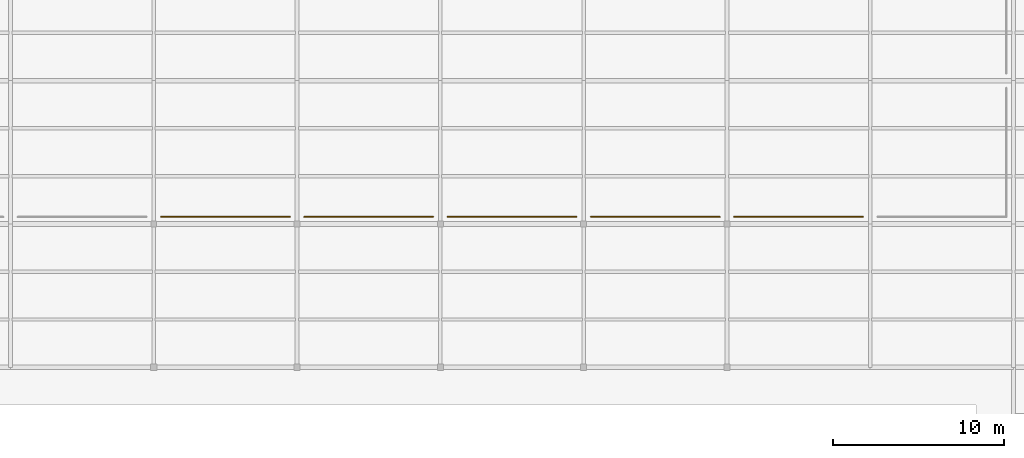
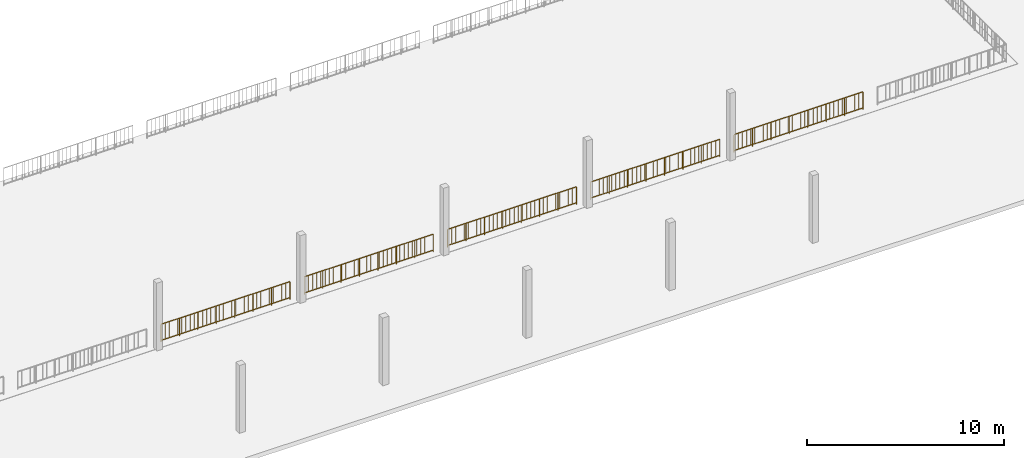
# One storey, part 125 of 166: 5 railings.
"""IFC4 building model written with IfcOpenShell, lengths in metres."""

from ifc_helpers import new_model, si_unit, direction, frame, origin, origin_2d, place, context, subcontext, project, spatial, circle, extrude, material, type_object, element, save


model = new_model("IFC4")

# Units and contexts
model_context = context("Model", 3, precision=1e-05, world=origin(), true_north=direction((0.0, 1.0)))
body_context = subcontext(model_context, "Body", "Model", "MODEL_VIEW")
ifc_project = project(units=[si_unit("LENGTHUNIT", "METRE"), si_unit("AREAUNIT", "SQUARE_METRE"), si_unit("VOLUMEUNIT", "CUBIC_METRE"), si_unit("PLANEANGLEUNIT", "RADIAN"), si_unit("MASSUNIT", "GRAM", prefix="KILO")], contexts=[model_context])

# Site, building, storey
site_placement = place(None, origin())
site = spatial("IfcSite", under=ifc_project, at=site_placement, CompositionType="ELEMENT")
building_placement = place(site_placement, origin())
building = spatial("IfcBuilding", under=site, at=building_placement, Name="Varnapada Polytechnic", CompositionType="ELEMENT")
storey_placement = place(building_placement, frame((0.0, 0.0, 9.60009765625)))
storey = spatial("IfcBuildingStorey", under=building, at=storey_placement, Name="L02", CompositionType="ELEMENT", Elevation=9.60009765625)

# Railings
ifc_material = material(Name="Painted galvanized steel", Category="steel")
railing_type = type_object("IfcRailingType", Name="Terrace Guard Rail GRD-01", PredefinedType="BALUSTRADE", material=ifc_material)
railing_1_placement = place(storey_placement, frame((76.02001953125, 25.6201171875, 0.0)))
element("IfcRailing", 1, at=railing_1_placement, inside=storey, type_object=railing_type, Name="L02 terrace perimeter guard rail 5", PredefinedType="BALUSTRADE", context=body_context, shape_type="SweptSolid", body=[
    extrude(circle(Radius=0.02392578125, at=origin_2d()), frame((0.0, 0.0, 1.09619140625), z_axis=(1.0, 0.0, 0.0), x_axis=(0.0, 1.0, 0.0)), (0.0, 0.0, 1.0), 7.56005859375),
    extrude(circle(Radius=0.02392578125, at=origin_2d()), frame((0.0, 0.0, 0.10009765625), z_axis=(1.0, 0.0, 0.0), x_axis=(0.0, 1.0, 0.0)), (0.0, 0.0, 1.0), 7.56005859375),
    extrude(circle(Radius=0.02099609375, at=origin_2d()), origin(), (0.0, 0.0, 1.0), 1.072021484375),
    extrude(circle(Radius=0.02099609375, at=origin_2d()), frame((1.080078125, 0.0, 0.0)), (0.0, 0.0, 1.0), 1.072021484375),
    extrude(circle(Radius=0.02099609375, at=origin_2d()), frame((2.159912109375, 0.0, 0.0)), (0.0, 0.0, 1.0), 1.072021484375),
    extrude(circle(Radius=0.02099609375, at=origin_2d()), frame((3.239990234375, 0.0, 0.0)), (0.0, 0.0, 1.0), 1.072021484375),
    extrude(circle(Radius=0.02099609375, at=origin_2d()), frame((4.320068359375, 0.0, 0.0)), (0.0, 0.0, 1.0), 1.072021484375),
    extrude(circle(Radius=0.02099609375, at=origin_2d()), frame((5.400146484375, 0.0, 0.0)), (0.0, 0.0, 1.0), 1.072021484375),
    extrude(circle(Radius=0.02099609375, at=origin_2d()), frame((6.47998046875, 0.0, 0.0)), (0.0, 0.0, 1.0), 1.072021484375),
    extrude(circle(Radius=0.02099609375, at=origin_2d()), frame((7.56005859375, 0.0, 0.0)), (0.0, 0.0, 1.0), 1.072021484375),
    extrude(circle(Radius=0.010009765625, at=origin_2d()), frame((0.243896484375, 0.0, 0.10009765625)), (0.0, 0.0, 1.0), 0.971923828125),
    extrude(circle(Radius=0.010009765625, at=origin_2d()), frame((0.48779296875, 0.0, 0.10009765625)), (0.0, 0.0, 1.0), 0.971923828125),
    extrude(circle(Radius=0.010009765625, at=origin_2d()), frame((0.731689453125, 0.0, 0.10009765625)), (0.0, 0.0, 1.0), 0.971923828125),
    extrude(circle(Radius=0.010009765625, at=origin_2d()), frame((0.9755859375, 0.0, 0.10009765625)), (0.0, 0.0, 1.0), 0.971923828125),
    extrude(circle(Radius=0.010009765625, at=origin_2d()), frame((1.219482421875, 0.0, 0.10009765625)), (0.0, 0.0, 1.0), 0.971923828125),
    extrude(circle(Radius=0.010009765625, at=origin_2d()), frame((1.463134765625, 0.0, 0.10009765625)), (0.0, 0.0, 1.0), 0.971923828125),
    extrude(circle(Radius=0.010009765625, at=origin_2d()), frame((1.70703125, 0.0, 0.10009765625)), (0.0, 0.0, 1.0), 0.971923828125),
    extrude(circle(Radius=0.010009765625, at=origin_2d()), frame((1.950927734375, 0.0, 0.10009765625)), (0.0, 0.0, 1.0), 0.971923828125),
    extrude(circle(Radius=0.010009765625, at=origin_2d()), frame((2.19482421875, 0.0, 0.10009765625)), (0.0, 0.0, 1.0), 0.971923828125),
    extrude(circle(Radius=0.010009765625, at=origin_2d()), frame((2.438720703125, 0.0, 0.10009765625)), (0.0, 0.0, 1.0), 0.971923828125),
    extrude(circle(Radius=0.010009765625, at=origin_2d()), frame((2.6826171875, 0.0, 0.10009765625)), (0.0, 0.0, 1.0), 0.971923828125),
    extrude(circle(Radius=0.010009765625, at=origin_2d()), frame((2.926513671875, 0.0, 0.10009765625)), (0.0, 0.0, 1.0), 0.971923828125),
    extrude(circle(Radius=0.010009765625, at=origin_2d()), frame((3.17041015625, 0.0, 0.10009765625)), (0.0, 0.0, 1.0), 0.971923828125),
    extrude(circle(Radius=0.010009765625, at=origin_2d()), frame((3.414306640625, 0.0, 0.10009765625)), (0.0, 0.0, 1.0), 0.971923828125),
    extrude(circle(Radius=0.010009765625, at=origin_2d()), frame((3.658203125, 0.0, 0.10009765625)), (0.0, 0.0, 1.0), 0.971923828125),
    extrude(circle(Radius=0.010009765625, at=origin_2d()), frame((3.90185546875, 0.0, 0.10009765625)), (0.0, 0.0, 1.0), 0.971923828125),
    extrude(circle(Radius=0.010009765625, at=origin_2d()), frame((4.145751953125, 0.0, 0.10009765625)), (0.0, 0.0, 1.0), 0.971923828125),
    extrude(circle(Radius=0.010009765625, at=origin_2d()), frame((4.3896484375, 0.0, 0.10009765625)), (0.0, 0.0, 1.0), 0.971923828125),
    extrude(circle(Radius=0.010009765625, at=origin_2d()), frame((4.633544921875, 0.0, 0.10009765625)), (0.0, 0.0, 1.0), 0.971923828125),
    extrude(circle(Radius=0.010009765625, at=origin_2d()), frame((4.87744140625, 0.0, 0.10009765625)), (0.0, 0.0, 1.0), 0.971923828125),
    extrude(circle(Radius=0.010009765625, at=origin_2d()), frame((5.121337890625, 0.0, 0.10009765625)), (0.0, 0.0, 1.0), 0.971923828125),
    extrude(circle(Radius=0.010009765625, at=origin_2d()), frame((5.365234375, 0.0, 0.10009765625)), (0.0, 0.0, 1.0), 0.971923828125),
    extrude(circle(Radius=0.010009765625, at=origin_2d()), frame((5.609130859375, 0.0, 0.10009765625)), (0.0, 0.0, 1.0), 0.971923828125),
    extrude(circle(Radius=0.010009765625, at=origin_2d()), frame((5.85302734375, 0.0, 0.10009765625)), (0.0, 0.0, 1.0), 0.971923828125),
    extrude(circle(Radius=0.010009765625, at=origin_2d()), frame((6.096923828125, 0.0, 0.10009765625)), (0.0, 0.0, 1.0), 0.971923828125),
    extrude(circle(Radius=0.010009765625, at=origin_2d()), frame((6.340576171875, 0.0, 0.10009765625)), (0.0, 0.0, 1.0), 0.971923828125),
    extrude(circle(Radius=0.010009765625, at=origin_2d()), frame((6.58447265625, 0.0, 0.10009765625)), (0.0, 0.0, 1.0), 0.971923828125),
    extrude(circle(Radius=0.010009765625, at=origin_2d()), frame((6.828369140625, 0.0, 0.10009765625)), (0.0, 0.0, 1.0), 0.971923828125),
    extrude(circle(Radius=0.010009765625, at=origin_2d()), frame((7.072265625, 0.0, 0.10009765625)), (0.0, 0.0, 1.0), 0.971923828125),
    extrude(circle(Radius=0.010009765625, at=origin_2d()), frame((7.316162109375, 0.0, 0.10009765625)), (0.0, 0.0, 1.0), 0.971923828125),
])
railing_2_placement = place(storey_placement, frame((84.419921875, 25.6201171875, 0.0)))
element("IfcRailing", 2, at=railing_2_placement, inside=storey, type_object=railing_type, Name="L02 terrace perimeter guard rail 7", PredefinedType="BALUSTRADE", context=body_context, shape_type="SweptSolid", body=[
    extrude(circle(Radius=0.02392578125, at=origin_2d()), frame((0.0, 0.0, 1.09619140625), z_axis=(1.0, 0.0, 0.0), x_axis=(0.0, 1.0, 0.0)), (0.0, 0.0, 1.0), 7.56005859375),
    extrude(circle(Radius=0.02392578125, at=origin_2d()), frame((0.0, 0.0, 0.10009765625), z_axis=(1.0, 0.0, 0.0), x_axis=(0.0, 1.0, 0.0)), (0.0, 0.0, 1.0), 7.56005859375),
    extrude(circle(Radius=0.02099609375, at=origin_2d()), origin(), (0.0, 0.0, 1.0), 1.072021484375),
    extrude(circle(Radius=0.02099609375, at=origin_2d()), frame((1.080078125, 0.0, 0.0)), (0.0, 0.0, 1.0), 1.072021484375),
    extrude(circle(Radius=0.02099609375, at=origin_2d()), frame((2.159912109375, 0.0, 0.0)), (0.0, 0.0, 1.0), 1.072021484375),
    extrude(circle(Radius=0.02099609375, at=origin_2d()), frame((3.239990234375, 0.0, 0.0)), (0.0, 0.0, 1.0), 1.072021484375),
    extrude(circle(Radius=0.02099609375, at=origin_2d()), frame((4.320068359375, 0.0, 0.0)), (0.0, 0.0, 1.0), 1.072021484375),
    extrude(circle(Radius=0.02099609375, at=origin_2d()), frame((5.400146484375, 0.0, 0.0)), (0.0, 0.0, 1.0), 1.072021484375),
    extrude(circle(Radius=0.02099609375, at=origin_2d()), frame((6.47998046875, 0.0, 0.0)), (0.0, 0.0, 1.0), 1.072021484375),
    extrude(circle(Radius=0.02099609375, at=origin_2d()), frame((7.56005859375, 0.0, 0.0)), (0.0, 0.0, 1.0), 1.072021484375),
    extrude(circle(Radius=0.010009765625, at=origin_2d()), frame((0.243896484375, 0.0, 0.10009765625)), (0.0, 0.0, 1.0), 0.971923828125),
    extrude(circle(Radius=0.010009765625, at=origin_2d()), frame((0.48779296875, 0.0, 0.10009765625)), (0.0, 0.0, 1.0), 0.971923828125),
    extrude(circle(Radius=0.010009765625, at=origin_2d()), frame((0.731689453125, 0.0, 0.10009765625)), (0.0, 0.0, 1.0), 0.971923828125),
    extrude(circle(Radius=0.010009765625, at=origin_2d()), frame((0.9755859375, 0.0, 0.10009765625)), (0.0, 0.0, 1.0), 0.971923828125),
    extrude(circle(Radius=0.010009765625, at=origin_2d()), frame((1.219482421875, 0.0, 0.10009765625)), (0.0, 0.0, 1.0), 0.971923828125),
    extrude(circle(Radius=0.010009765625, at=origin_2d()), frame((1.463134765625, 0.0, 0.10009765625)), (0.0, 0.0, 1.0), 0.971923828125),
    extrude(circle(Radius=0.010009765625, at=origin_2d()), frame((1.70703125, 0.0, 0.10009765625)), (0.0, 0.0, 1.0), 0.971923828125),
    extrude(circle(Radius=0.010009765625, at=origin_2d()), frame((1.950927734375, 0.0, 0.10009765625)), (0.0, 0.0, 1.0), 0.971923828125),
    extrude(circle(Radius=0.010009765625, at=origin_2d()), frame((2.19482421875, 0.0, 0.10009765625)), (0.0, 0.0, 1.0), 0.971923828125),
    extrude(circle(Radius=0.010009765625, at=origin_2d()), frame((2.438720703125, 0.0, 0.10009765625)), (0.0, 0.0, 1.0), 0.971923828125),
    extrude(circle(Radius=0.010009765625, at=origin_2d()), frame((2.6826171875, 0.0, 0.10009765625)), (0.0, 0.0, 1.0), 0.971923828125),
    extrude(circle(Radius=0.010009765625, at=origin_2d()), frame((2.926513671875, 0.0, 0.10009765625)), (0.0, 0.0, 1.0), 0.971923828125),
    extrude(circle(Radius=0.010009765625, at=origin_2d()), frame((3.17041015625, 0.0, 0.10009765625)), (0.0, 0.0, 1.0), 0.971923828125),
    extrude(circle(Radius=0.010009765625, at=origin_2d()), frame((3.414306640625, 0.0, 0.10009765625)), (0.0, 0.0, 1.0), 0.971923828125),
    extrude(circle(Radius=0.010009765625, at=origin_2d()), frame((3.658203125, 0.0, 0.10009765625)), (0.0, 0.0, 1.0), 0.971923828125),
    extrude(circle(Radius=0.010009765625, at=origin_2d()), frame((3.90185546875, 0.0, 0.10009765625)), (0.0, 0.0, 1.0), 0.971923828125),
    extrude(circle(Radius=0.010009765625, at=origin_2d()), frame((4.145751953125, 0.0, 0.10009765625)), (0.0, 0.0, 1.0), 0.971923828125),
    extrude(circle(Radius=0.010009765625, at=origin_2d()), frame((4.3896484375, 0.0, 0.10009765625)), (0.0, 0.0, 1.0), 0.971923828125),
    extrude(circle(Radius=0.010009765625, at=origin_2d()), frame((4.633544921875, 0.0, 0.10009765625)), (0.0, 0.0, 1.0), 0.971923828125),
    extrude(circle(Radius=0.010009765625, at=origin_2d()), frame((4.87744140625, 0.0, 0.10009765625)), (0.0, 0.0, 1.0), 0.971923828125),
    extrude(circle(Radius=0.010009765625, at=origin_2d()), frame((5.121337890625, 0.0, 0.10009765625)), (0.0, 0.0, 1.0), 0.971923828125),
    extrude(circle(Radius=0.010009765625, at=origin_2d()), frame((5.365234375, 0.0, 0.10009765625)), (0.0, 0.0, 1.0), 0.971923828125),
    extrude(circle(Radius=0.010009765625, at=origin_2d()), frame((5.609130859375, 0.0, 0.10009765625)), (0.0, 0.0, 1.0), 0.971923828125),
    extrude(circle(Radius=0.010009765625, at=origin_2d()), frame((5.85302734375, 0.0, 0.10009765625)), (0.0, 0.0, 1.0), 0.971923828125),
    extrude(circle(Radius=0.010009765625, at=origin_2d()), frame((6.096923828125, 0.0, 0.10009765625)), (0.0, 0.0, 1.0), 0.971923828125),
    extrude(circle(Radius=0.010009765625, at=origin_2d()), frame((6.340576171875, 0.0, 0.10009765625)), (0.0, 0.0, 1.0), 0.971923828125),
    extrude(circle(Radius=0.010009765625, at=origin_2d()), frame((6.58447265625, 0.0, 0.10009765625)), (0.0, 0.0, 1.0), 0.971923828125),
    extrude(circle(Radius=0.010009765625, at=origin_2d()), frame((6.828369140625, 0.0, 0.10009765625)), (0.0, 0.0, 1.0), 0.971923828125),
    extrude(circle(Radius=0.010009765625, at=origin_2d()), frame((7.072265625, 0.0, 0.10009765625)), (0.0, 0.0, 1.0), 0.971923828125),
    extrude(circle(Radius=0.010009765625, at=origin_2d()), frame((7.316162109375, 0.0, 0.10009765625)), (0.0, 0.0, 1.0), 0.971923828125),
])
railing_3_placement = place(storey_placement, frame((92.820068359375, 25.6201171875, 0.0)))
element("IfcRailing", 3, at=railing_3_placement, inside=storey, type_object=railing_type, Name="L02 terrace perimeter guard rail 9", PredefinedType="BALUSTRADE", context=body_context, shape_type="SweptSolid", body=[
    extrude(circle(Radius=0.02392578125, at=origin_2d()), frame((0.0, 0.0, 1.09619140625), z_axis=(1.0, 0.0, 0.0), x_axis=(0.0, 1.0, 0.0)), (0.0, 0.0, 1.0), 7.559814453125),
    extrude(circle(Radius=0.02392578125, at=origin_2d()), frame((0.0, 0.0, 0.10009765625), z_axis=(1.0, 0.0, 0.0), x_axis=(0.0, 1.0, 0.0)), (0.0, 0.0, 1.0), 7.559814453125),
    extrude(circle(Radius=0.02099609375, at=origin_2d()), origin(), (0.0, 0.0, 1.0), 1.072021484375),
    extrude(circle(Radius=0.02099609375, at=origin_2d()), frame((1.080078125, 0.0, 0.0)), (0.0, 0.0, 1.0), 1.072021484375),
    extrude(circle(Radius=0.02099609375, at=origin_2d()), frame((2.159912109375, 0.0, 0.0)), (0.0, 0.0, 1.0), 1.072021484375),
    extrude(circle(Radius=0.02099609375, at=origin_2d()), frame((3.239990234375, 0.0, 0.0)), (0.0, 0.0, 1.0), 1.072021484375),
    extrude(circle(Radius=0.02099609375, at=origin_2d()), frame((4.31982421875, 0.0, 0.0)), (0.0, 0.0, 1.0), 1.072021484375),
    extrude(circle(Radius=0.02099609375, at=origin_2d()), frame((5.39990234375, 0.0, 0.0)), (0.0, 0.0, 1.0), 1.072021484375),
    extrude(circle(Radius=0.02099609375, at=origin_2d()), frame((6.479736328125, 0.0, 0.0)), (0.0, 0.0, 1.0), 1.072021484375),
    extrude(circle(Radius=0.02099609375, at=origin_2d()), frame((7.559814453125, 0.0, 0.0)), (0.0, 0.0, 1.0), 1.072021484375),
    extrude(circle(Radius=0.010009765625, at=origin_2d()), frame((0.243896484375, 0.0, 0.10009765625)), (0.0, 0.0, 1.0), 0.971923828125),
    extrude(circle(Radius=0.010009765625, at=origin_2d()), frame((0.48779296875, 0.0, 0.10009765625)), (0.0, 0.0, 1.0), 0.971923828125),
    extrude(circle(Radius=0.010009765625, at=origin_2d()), frame((0.731689453125, 0.0, 0.10009765625)), (0.0, 0.0, 1.0), 0.971923828125),
    extrude(circle(Radius=0.010009765625, at=origin_2d()), frame((0.975341796875, 0.0, 0.10009765625)), (0.0, 0.0, 1.0), 0.971923828125),
    extrude(circle(Radius=0.010009765625, at=origin_2d()), frame((1.21923828125, 0.0, 0.10009765625)), (0.0, 0.0, 1.0), 0.971923828125),
    extrude(circle(Radius=0.010009765625, at=origin_2d()), frame((1.463134765625, 0.0, 0.10009765625)), (0.0, 0.0, 1.0), 0.971923828125),
    extrude(circle(Radius=0.010009765625, at=origin_2d()), frame((1.70703125, 0.0, 0.10009765625)), (0.0, 0.0, 1.0), 0.971923828125),
    extrude(circle(Radius=0.010009765625, at=origin_2d()), frame((1.950927734375, 0.0, 0.10009765625)), (0.0, 0.0, 1.0), 0.971923828125),
    extrude(circle(Radius=0.010009765625, at=origin_2d()), frame((2.19482421875, 0.0, 0.10009765625)), (0.0, 0.0, 1.0), 0.971923828125),
    extrude(circle(Radius=0.010009765625, at=origin_2d()), frame((2.438720703125, 0.0, 0.10009765625)), (0.0, 0.0, 1.0), 0.971923828125),
    extrude(circle(Radius=0.010009765625, at=origin_2d()), frame((2.6826171875, 0.0, 0.10009765625)), (0.0, 0.0, 1.0), 0.971923828125),
    extrude(circle(Radius=0.010009765625, at=origin_2d()), frame((2.92626953125, 0.0, 0.10009765625)), (0.0, 0.0, 1.0), 0.971923828125),
    extrude(circle(Radius=0.010009765625, at=origin_2d()), frame((3.170166015625, 0.0, 0.10009765625)), (0.0, 0.0, 1.0), 0.971923828125),
    extrude(circle(Radius=0.010009765625, at=origin_2d()), frame((3.4140625, 0.0, 0.10009765625)), (0.0, 0.0, 1.0), 0.971923828125),
    extrude(circle(Radius=0.010009765625, at=origin_2d()), frame((3.657958984375, 0.0, 0.10009765625)), (0.0, 0.0, 1.0), 0.971923828125),
    extrude(circle(Radius=0.010009765625, at=origin_2d()), frame((3.90185546875, 0.0, 0.10009765625)), (0.0, 0.0, 1.0), 0.971923828125),
    extrude(circle(Radius=0.010009765625, at=origin_2d()), frame((4.145751953125, 0.0, 0.10009765625)), (0.0, 0.0, 1.0), 0.971923828125),
    extrude(circle(Radius=0.010009765625, at=origin_2d()), frame((4.3896484375, 0.0, 0.10009765625)), (0.0, 0.0, 1.0), 0.971923828125),
    extrude(circle(Radius=0.010009765625, at=origin_2d()), frame((4.633544921875, 0.0, 0.10009765625)), (0.0, 0.0, 1.0), 0.971923828125),
    extrude(circle(Radius=0.010009765625, at=origin_2d()), frame((4.877197265625, 0.0, 0.10009765625)), (0.0, 0.0, 1.0), 0.971923828125),
    extrude(circle(Radius=0.010009765625, at=origin_2d()), frame((5.12109375, 0.0, 0.10009765625)), (0.0, 0.0, 1.0), 0.971923828125),
    extrude(circle(Radius=0.010009765625, at=origin_2d()), frame((5.364990234375, 0.0, 0.10009765625)), (0.0, 0.0, 1.0), 0.971923828125),
    extrude(circle(Radius=0.010009765625, at=origin_2d()), frame((5.60888671875, 0.0, 0.10009765625)), (0.0, 0.0, 1.0), 0.971923828125),
    extrude(circle(Radius=0.010009765625, at=origin_2d()), frame((5.852783203125, 0.0, 0.10009765625)), (0.0, 0.0, 1.0), 0.971923828125),
    extrude(circle(Radius=0.010009765625, at=origin_2d()), frame((6.0966796875, 0.0, 0.10009765625)), (0.0, 0.0, 1.0), 0.971923828125),
    extrude(circle(Radius=0.010009765625, at=origin_2d()), frame((6.340576171875, 0.0, 0.10009765625)), (0.0, 0.0, 1.0), 0.971923828125),
    extrude(circle(Radius=0.010009765625, at=origin_2d()), frame((6.58447265625, 0.0, 0.10009765625)), (0.0, 0.0, 1.0), 0.971923828125),
    extrude(circle(Radius=0.010009765625, at=origin_2d()), frame((6.828125, 0.0, 0.10009765625)), (0.0, 0.0, 1.0), 0.971923828125),
    extrude(circle(Radius=0.010009765625, at=origin_2d()), frame((7.072021484375, 0.0, 0.10009765625)), (0.0, 0.0, 1.0), 0.971923828125),
    extrude(circle(Radius=0.010009765625, at=origin_2d()), frame((7.31591796875, 0.0, 0.10009765625)), (0.0, 0.0, 1.0), 0.971923828125),
])
railing_4_placement = place(storey_placement, frame((101.219970703125, 25.6201171875, 0.0)))
element("IfcRailing", 4, at=railing_4_placement, inside=storey, type_object=railing_type, Name="L02 terrace perimeter guard rail 11", PredefinedType="BALUSTRADE", context=body_context, shape_type="SweptSolid", body=[
    extrude(circle(Radius=0.02392578125, at=origin_2d()), frame((0.0, 0.0, 1.09619140625), z_axis=(1.0, 0.0, 0.0), x_axis=(0.0, 1.0, 0.0)), (0.0, 0.0, 1.0), 7.56005859375),
    extrude(circle(Radius=0.02392578125, at=origin_2d()), frame((0.0, 0.0, 0.10009765625), z_axis=(1.0, 0.0, 0.0), x_axis=(0.0, 1.0, 0.0)), (0.0, 0.0, 1.0), 7.56005859375),
    extrude(circle(Radius=0.02099609375, at=origin_2d()), origin(), (0.0, 0.0, 1.0), 1.072021484375),
    extrude(circle(Radius=0.02099609375, at=origin_2d()), frame((1.080078125, 0.0, 0.0)), (0.0, 0.0, 1.0), 1.072021484375),
    extrude(circle(Radius=0.02099609375, at=origin_2d()), frame((2.159912109375, 0.0, 0.0)), (0.0, 0.0, 1.0), 1.072021484375),
    extrude(circle(Radius=0.02099609375, at=origin_2d()), frame((3.239990234375, 0.0, 0.0)), (0.0, 0.0, 1.0), 1.072021484375),
    extrude(circle(Radius=0.02099609375, at=origin_2d()), frame((4.320068359375, 0.0, 0.0)), (0.0, 0.0, 1.0), 1.072021484375),
    extrude(circle(Radius=0.02099609375, at=origin_2d()), frame((5.400146484375, 0.0, 0.0)), (0.0, 0.0, 1.0), 1.072021484375),
    extrude(circle(Radius=0.02099609375, at=origin_2d()), frame((6.47998046875, 0.0, 0.0)), (0.0, 0.0, 1.0), 1.072021484375),
    extrude(circle(Radius=0.02099609375, at=origin_2d()), frame((7.56005859375, 0.0, 0.0)), (0.0, 0.0, 1.0), 1.072021484375),
    extrude(circle(Radius=0.010009765625, at=origin_2d()), frame((0.243896484375, 0.0, 0.10009765625)), (0.0, 0.0, 1.0), 0.971923828125),
    extrude(circle(Radius=0.010009765625, at=origin_2d()), frame((0.48779296875, 0.0, 0.10009765625)), (0.0, 0.0, 1.0), 0.971923828125),
    extrude(circle(Radius=0.010009765625, at=origin_2d()), frame((0.731689453125, 0.0, 0.10009765625)), (0.0, 0.0, 1.0), 0.971923828125),
    extrude(circle(Radius=0.010009765625, at=origin_2d()), frame((0.9755859375, 0.0, 0.10009765625)), (0.0, 0.0, 1.0), 0.971923828125),
    extrude(circle(Radius=0.010009765625, at=origin_2d()), frame((1.219482421875, 0.0, 0.10009765625)), (0.0, 0.0, 1.0), 0.971923828125),
    extrude(circle(Radius=0.010009765625, at=origin_2d()), frame((1.463134765625, 0.0, 0.10009765625)), (0.0, 0.0, 1.0), 0.971923828125),
    extrude(circle(Radius=0.010009765625, at=origin_2d()), frame((1.70703125, 0.0, 0.10009765625)), (0.0, 0.0, 1.0), 0.971923828125),
    extrude(circle(Radius=0.010009765625, at=origin_2d()), frame((1.950927734375, 0.0, 0.10009765625)), (0.0, 0.0, 1.0), 0.971923828125),
    extrude(circle(Radius=0.010009765625, at=origin_2d()), frame((2.19482421875, 0.0, 0.10009765625)), (0.0, 0.0, 1.0), 0.971923828125),
    extrude(circle(Radius=0.010009765625, at=origin_2d()), frame((2.438720703125, 0.0, 0.10009765625)), (0.0, 0.0, 1.0), 0.971923828125),
    extrude(circle(Radius=0.010009765625, at=origin_2d()), frame((2.6826171875, 0.0, 0.10009765625)), (0.0, 0.0, 1.0), 0.971923828125),
    extrude(circle(Radius=0.010009765625, at=origin_2d()), frame((2.926513671875, 0.0, 0.10009765625)), (0.0, 0.0, 1.0), 0.971923828125),
    extrude(circle(Radius=0.010009765625, at=origin_2d()), frame((3.17041015625, 0.0, 0.10009765625)), (0.0, 0.0, 1.0), 0.971923828125),
    extrude(circle(Radius=0.010009765625, at=origin_2d()), frame((3.414306640625, 0.0, 0.10009765625)), (0.0, 0.0, 1.0), 0.971923828125),
    extrude(circle(Radius=0.010009765625, at=origin_2d()), frame((3.658203125, 0.0, 0.10009765625)), (0.0, 0.0, 1.0), 0.971923828125),
    extrude(circle(Radius=0.010009765625, at=origin_2d()), frame((3.90185546875, 0.0, 0.10009765625)), (0.0, 0.0, 1.0), 0.971923828125),
    extrude(circle(Radius=0.010009765625, at=origin_2d()), frame((4.145751953125, 0.0, 0.10009765625)), (0.0, 0.0, 1.0), 0.971923828125),
    extrude(circle(Radius=0.010009765625, at=origin_2d()), frame((4.3896484375, 0.0, 0.10009765625)), (0.0, 0.0, 1.0), 0.971923828125),
    extrude(circle(Radius=0.010009765625, at=origin_2d()), frame((4.633544921875, 0.0, 0.10009765625)), (0.0, 0.0, 1.0), 0.971923828125),
    extrude(circle(Radius=0.010009765625, at=origin_2d()), frame((4.87744140625, 0.0, 0.10009765625)), (0.0, 0.0, 1.0), 0.971923828125),
    extrude(circle(Radius=0.010009765625, at=origin_2d()), frame((5.121337890625, 0.0, 0.10009765625)), (0.0, 0.0, 1.0), 0.971923828125),
    extrude(circle(Radius=0.010009765625, at=origin_2d()), frame((5.365234375, 0.0, 0.10009765625)), (0.0, 0.0, 1.0), 0.971923828125),
    extrude(circle(Radius=0.010009765625, at=origin_2d()), frame((5.609130859375, 0.0, 0.10009765625)), (0.0, 0.0, 1.0), 0.971923828125),
    extrude(circle(Radius=0.010009765625, at=origin_2d()), frame((5.85302734375, 0.0, 0.10009765625)), (0.0, 0.0, 1.0), 0.971923828125),
    extrude(circle(Radius=0.010009765625, at=origin_2d()), frame((6.096923828125, 0.0, 0.10009765625)), (0.0, 0.0, 1.0), 0.971923828125),
    extrude(circle(Radius=0.010009765625, at=origin_2d()), frame((6.340576171875, 0.0, 0.10009765625)), (0.0, 0.0, 1.0), 0.971923828125),
    extrude(circle(Radius=0.010009765625, at=origin_2d()), frame((6.58447265625, 0.0, 0.10009765625)), (0.0, 0.0, 1.0), 0.971923828125),
    extrude(circle(Radius=0.010009765625, at=origin_2d()), frame((6.828369140625, 0.0, 0.10009765625)), (0.0, 0.0, 1.0), 0.971923828125),
    extrude(circle(Radius=0.010009765625, at=origin_2d()), frame((7.072265625, 0.0, 0.10009765625)), (0.0, 0.0, 1.0), 0.971923828125),
    extrude(circle(Radius=0.010009765625, at=origin_2d()), frame((7.316162109375, 0.0, 0.10009765625)), (0.0, 0.0, 1.0), 0.971923828125),
])
railing_5_placement = place(storey_placement, frame((109.6201171875, 25.6201171875, 0.0)))
element("IfcRailing", 5, at=railing_5_placement, inside=storey, type_object=railing_type, Name="L02 terrace perimeter guard rail 13", PredefinedType="BALUSTRADE", context=body_context, shape_type="SweptSolid", body=[
    extrude(circle(Radius=0.02392578125, at=origin_2d()), frame((0.0, 0.0, 1.09619140625), z_axis=(1.0, 0.0, 0.0), x_axis=(0.0, 1.0, 0.0)), (0.0, 0.0, 1.0), 7.559814453125),
    extrude(circle(Radius=0.02392578125, at=origin_2d()), frame((0.0, 0.0, 0.10009765625), z_axis=(1.0, 0.0, 0.0), x_axis=(0.0, 1.0, 0.0)), (0.0, 0.0, 1.0), 7.559814453125),
    extrude(circle(Radius=0.02099609375, at=origin_2d()), origin(), (0.0, 0.0, 1.0), 1.072021484375),
    extrude(circle(Radius=0.02099609375, at=origin_2d()), frame((1.080078125, 0.0, 0.0)), (0.0, 0.0, 1.0), 1.072021484375),
    extrude(circle(Radius=0.02099609375, at=origin_2d()), frame((2.159912109375, 0.0, 0.0)), (0.0, 0.0, 1.0), 1.072021484375),
    extrude(circle(Radius=0.02099609375, at=origin_2d()), frame((3.239990234375, 0.0, 0.0)), (0.0, 0.0, 1.0), 1.072021484375),
    extrude(circle(Radius=0.02099609375, at=origin_2d()), frame((4.31982421875, 0.0, 0.0)), (0.0, 0.0, 1.0), 1.072021484375),
    extrude(circle(Radius=0.02099609375, at=origin_2d()), frame((5.39990234375, 0.0, 0.0)), (0.0, 0.0, 1.0), 1.072021484375),
    extrude(circle(Radius=0.02099609375, at=origin_2d()), frame((6.479736328125, 0.0, 0.0)), (0.0, 0.0, 1.0), 1.072021484375),
    extrude(circle(Radius=0.02099609375, at=origin_2d()), frame((7.559814453125, 0.0, 0.0)), (0.0, 0.0, 1.0), 1.072021484375),
    extrude(circle(Radius=0.010009765625, at=origin_2d()), frame((0.243896484375, 0.0, 0.10009765625)), (0.0, 0.0, 1.0), 0.971923828125),
    extrude(circle(Radius=0.010009765625, at=origin_2d()), frame((0.48779296875, 0.0, 0.10009765625)), (0.0, 0.0, 1.0), 0.971923828125),
    extrude(circle(Radius=0.010009765625, at=origin_2d()), frame((0.731689453125, 0.0, 0.10009765625)), (0.0, 0.0, 1.0), 0.971923828125),
    extrude(circle(Radius=0.010009765625, at=origin_2d()), frame((0.975341796875, 0.0, 0.10009765625)), (0.0, 0.0, 1.0), 0.971923828125),
    extrude(circle(Radius=0.010009765625, at=origin_2d()), frame((1.21923828125, 0.0, 0.10009765625)), (0.0, 0.0, 1.0), 0.971923828125),
    extrude(circle(Radius=0.010009765625, at=origin_2d()), frame((1.463134765625, 0.0, 0.10009765625)), (0.0, 0.0, 1.0), 0.971923828125),
    extrude(circle(Radius=0.010009765625, at=origin_2d()), frame((1.70703125, 0.0, 0.10009765625)), (0.0, 0.0, 1.0), 0.971923828125),
    extrude(circle(Radius=0.010009765625, at=origin_2d()), frame((1.950927734375, 0.0, 0.10009765625)), (0.0, 0.0, 1.0), 0.971923828125),
    extrude(circle(Radius=0.010009765625, at=origin_2d()), frame((2.19482421875, 0.0, 0.10009765625)), (0.0, 0.0, 1.0), 0.971923828125),
    extrude(circle(Radius=0.010009765625, at=origin_2d()), frame((2.438720703125, 0.0, 0.10009765625)), (0.0, 0.0, 1.0), 0.971923828125),
    extrude(circle(Radius=0.010009765625, at=origin_2d()), frame((2.6826171875, 0.0, 0.10009765625)), (0.0, 0.0, 1.0), 0.971923828125),
    extrude(circle(Radius=0.010009765625, at=origin_2d()), frame((2.92626953125, 0.0, 0.10009765625)), (0.0, 0.0, 1.0), 0.971923828125),
    extrude(circle(Radius=0.010009765625, at=origin_2d()), frame((3.170166015625, 0.0, 0.10009765625)), (0.0, 0.0, 1.0), 0.971923828125),
    extrude(circle(Radius=0.010009765625, at=origin_2d()), frame((3.4140625, 0.0, 0.10009765625)), (0.0, 0.0, 1.0), 0.971923828125),
    extrude(circle(Radius=0.010009765625, at=origin_2d()), frame((3.657958984375, 0.0, 0.10009765625)), (0.0, 0.0, 1.0), 0.971923828125),
    extrude(circle(Radius=0.010009765625, at=origin_2d()), frame((3.90185546875, 0.0, 0.10009765625)), (0.0, 0.0, 1.0), 0.971923828125),
    extrude(circle(Radius=0.010009765625, at=origin_2d()), frame((4.145751953125, 0.0, 0.10009765625)), (0.0, 0.0, 1.0), 0.971923828125),
    extrude(circle(Radius=0.010009765625, at=origin_2d()), frame((4.3896484375, 0.0, 0.10009765625)), (0.0, 0.0, 1.0), 0.971923828125),
    extrude(circle(Radius=0.010009765625, at=origin_2d()), frame((4.633544921875, 0.0, 0.10009765625)), (0.0, 0.0, 1.0), 0.971923828125),
    extrude(circle(Radius=0.010009765625, at=origin_2d()), frame((4.877197265625, 0.0, 0.10009765625)), (0.0, 0.0, 1.0), 0.971923828125),
    extrude(circle(Radius=0.010009765625, at=origin_2d()), frame((5.12109375, 0.0, 0.10009765625)), (0.0, 0.0, 1.0), 0.971923828125),
    extrude(circle(Radius=0.010009765625, at=origin_2d()), frame((5.364990234375, 0.0, 0.10009765625)), (0.0, 0.0, 1.0), 0.971923828125),
    extrude(circle(Radius=0.010009765625, at=origin_2d()), frame((5.60888671875, 0.0, 0.10009765625)), (0.0, 0.0, 1.0), 0.971923828125),
    extrude(circle(Radius=0.010009765625, at=origin_2d()), frame((5.852783203125, 0.0, 0.10009765625)), (0.0, 0.0, 1.0), 0.971923828125),
    extrude(circle(Radius=0.010009765625, at=origin_2d()), frame((6.0966796875, 0.0, 0.10009765625)), (0.0, 0.0, 1.0), 0.971923828125),
    extrude(circle(Radius=0.010009765625, at=origin_2d()), frame((6.340576171875, 0.0, 0.10009765625)), (0.0, 0.0, 1.0), 0.971923828125),
    extrude(circle(Radius=0.010009765625, at=origin_2d()), frame((6.58447265625, 0.0, 0.10009765625)), (0.0, 0.0, 1.0), 0.971923828125),
    extrude(circle(Radius=0.010009765625, at=origin_2d()), frame((6.828125, 0.0, 0.10009765625)), (0.0, 0.0, 1.0), 0.971923828125),
    extrude(circle(Radius=0.010009765625, at=origin_2d()), frame((7.072021484375, 0.0, 0.10009765625)), (0.0, 0.0, 1.0), 0.971923828125),
    extrude(circle(Radius=0.010009765625, at=origin_2d()), frame((7.31591796875, 0.0, 0.10009765625)), (0.0, 0.0, 1.0), 0.971923828125),
])

save(model, "model.ifc")
